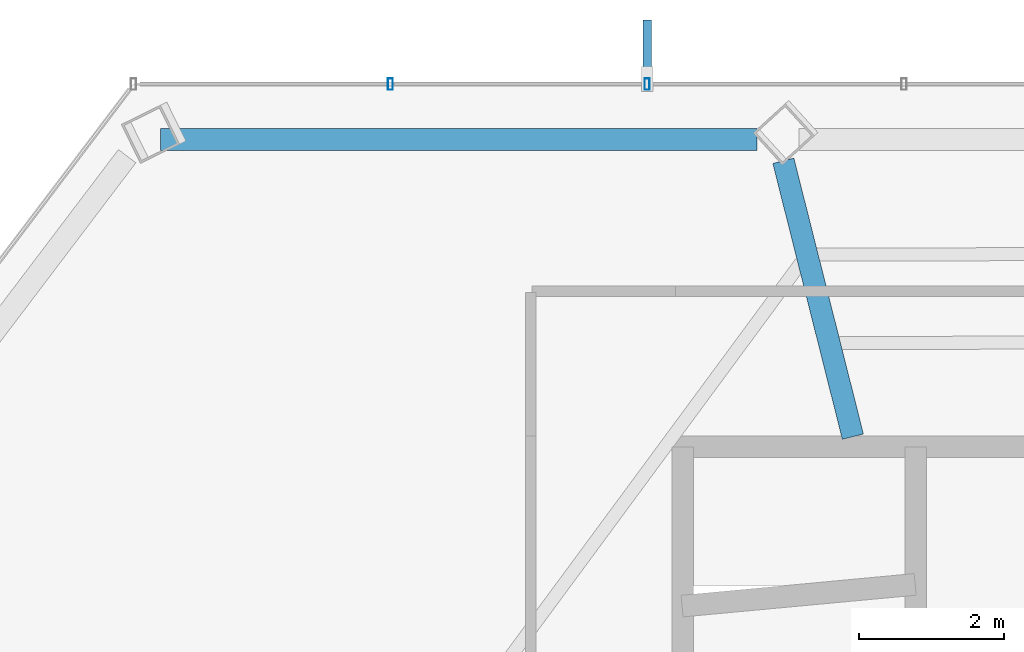
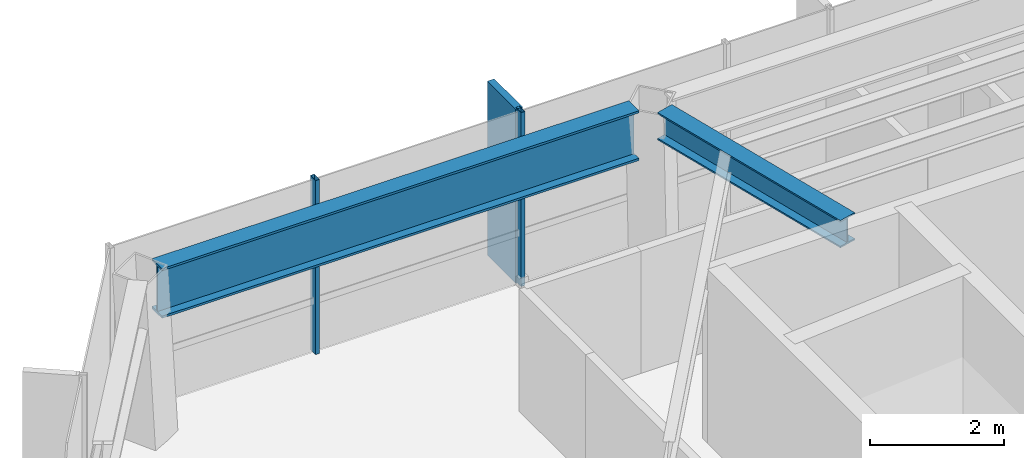
# One storey, part 12 of 27: 3 members, 2 beams, 1 element without a shape of its own.
"""IFC4 building model written with IfcOpenShell, lengths in metres."""

from ifc_helpers import new_model, si_unit, direction, frame, origin, origin_2d, place, context, subcontext, project, spatial, rectangle, hollow_rectangle, i_section, extrude, material, layer, layer_set, material_profile, profile_set, type_object, element, aggregate, save


model = new_model("IFC4")

# Units and contexts
model_context = context("Model", 3, precision=1e-05, world=origin(), true_north=direction((0.0, 1.0)))
body_context = subcontext(model_context, "Body", "Model", "MODEL_VIEW")
ifc_project = project(units=[si_unit("LENGTHUNIT", "METRE"), si_unit("AREAUNIT", "SQUARE_METRE"), si_unit("VOLUMEUNIT", "CUBIC_METRE"), si_unit("PLANEANGLEUNIT", "RADIAN"), si_unit("MASSUNIT", "GRAM", prefix="KILO")], contexts=[model_context])

# Site, building, storey
site_placement = place(None, origin())
site = spatial("IfcSite", under=ifc_project, at=site_placement, CompositionType="ELEMENT")
building_placement = place(site_placement, origin())
building = spatial("IfcBuilding", under=site, at=building_placement, Name="Zarrinselat Tower", CompositionType="ELEMENT")
storey_placement = place(building_placement, frame((0.0, 0.0, 215.56005859375)))
storey = spatial("IfcBuildingStorey", under=building, at=storey_placement, Name="L53", CompositionType="ELEMENT", Elevation=215.56005859375)

# Beams
ifc_material_1 = material(Name="Steel S355J2", Category="steel")
ifc_material_profile_1 = material_profile(ifc_material_1, i_section(OverallWidth=0.300048828125, OverallDepth=0.5, WebThickness=0.014404296875, FlangeThickness=0.028076171875, at=origin_2d()), Name="HEB 500")
ifc_profile_set_1 = profile_set([ifc_material_profile_1], Name="Steel S355J2")
beam_type_1 = type_object("IfcBeamType", Name="BM-HEB500", PredefinedType="BEAM", material=ifc_profile_set_1)
beam_1_placement = place(storey_placement, frame((30.039306640625, 47.3515625, 2.929931640625), z_axis=(0.244405803834, -0.969673039252, 0.0), x_axis=(0.969673039252, 0.244405803834, 0.0)))
element("IfcBeam", 1, at=beam_1_placement, inside=storey, type_object=beam_type_1, Name="L53 Radial Primary Girder RG04", PredefinedType="BEAM", context=body_context, shape_type="SweptSolid", body=[
    extrude(i_section(OverallWidth=0.300048828125, OverallDepth=0.5, WebThickness=0.014404296875, FlangeThickness=0.028076171875, at=origin_2d()), origin(), (0.0, 0.0, 1.0), 3.9306640625),
])
ifc_material_2 = material(Name="Steel S460M", Category="steel")
ifc_material_profile_2 = material_profile(ifc_material_2, i_section(OverallWidth=0.302001953125, OverallDepth=0.909912109375, WebThickness=0.02099609375, FlangeThickness=0.0400390625, at=origin_2d()), Name="HEM 900")
ifc_profile_set_2 = profile_set([ifc_material_profile_2], Name="Steel S460M")
beam_type_2 = type_object("IfcBeamType", Name="BM-HEM900", PredefinedType="BEAM", material=ifc_profile_set_2)
beam_2_placement = place(storey_placement, frame((21.4365234375, 47.644287109375, 2.724853515625), z_axis=(1.0, 0.0, 0.0), x_axis=(0.0, 1.0, 0.0)))
element("IfcBeam", 2, at=beam_2_placement, inside=storey, type_object=beam_type_2, Name="L53 Perimeter Spandrel Girder SP04", PredefinedType="BEAM", context=body_context, shape_type="SweptSolid", body=[
    extrude(i_section(OverallWidth=0.302001953125, OverallDepth=0.909912109375, WebThickness=0.02099609375, FlangeThickness=0.0400390625, at=origin_2d()), origin(), (0.0, 0.0, 1.0), 8.240966796875),
])

# Curtain wall, members
ifc_material_3 = material(Name="Extruded Aluminium Alloy EN AW-6063 T6", Category="aluminium")
ifc_layer = layer(ifc_material_3, 0.169921875)
ifc_layer_set = layer_set([ifc_layer], Name="Extruded Aluminium Alloy EN AW-6063 T6")
curtain_wall_type = type_object("IfcCurtainWallType", Name="CWS-RES", PredefinedType="NOTDEFINED", material=ifc_layer_set)
curtain_wall_placement = place(storey_placement, origin())
curtain_wall = element("IfcCurtainWall", 3, at=curtain_wall_placement, inside=storey, type_object=curtain_wall_type, Name="L53 Unitised Curtain Wall CW-L53-E01", PredefinedType="NOTDEFINED")
ifc_material_4 = material(Name="Extruded Aluminium Alloy EN AW-6063 T6", Category="aluminium")
ifc_material_profile_3 = material_profile(ifc_material_4, hollow_rectangle(XDim=0.070068359375, YDim=0.159912109375, WallThickness=0.00390625, at=origin_2d()), Name="RHS 160x70x4")
ifc_profile_set_3 = profile_set([ifc_material_profile_3], Name="Extruded Aluminium Alloy EN AW-6063 T6")
member_type_1 = type_object("IfcMemberType", Name="MEM-CW-MUL2", PredefinedType="MULLION", material=ifc_profile_set_3)
member_1_placement = place(storey_placement, frame((28.158447265625, 48.4111328125, 0.0), z_axis=(0.0, 0.0, 1.0), x_axis=(-1.0, 0.0, 0.0)))
member_1 = element("IfcMember", 4, at=member_1_placement, type_object=member_type_1, Name="CW-L53-E01 Mullion 11", PredefinedType="MULLION", context=body_context, shape_type="SweptSolid", body=[
    extrude(hollow_rectangle(XDim=0.070068359375, YDim=0.159912109375, WallThickness=0.00390625, at=origin_2d()), origin(), (0.0, 0.0, 1.0), 3.179931640625),
])
member_2_placement = place(storey_placement, frame((24.610595703125, 48.4111328125, 0.0), z_axis=(0.0, 0.0, 1.0), x_axis=(-1.0, 0.0, 0.0)))
member_2 = element("IfcMember", 5, at=member_2_placement, type_object=member_type_1, Name="CW-L53-E01 Mullion 12", PredefinedType="MULLION", context=body_context, shape_type="SweptSolid", body=[
    extrude(hollow_rectangle(XDim=0.070068359375, YDim=0.159912109375, WallThickness=0.00390625, at=origin_2d()), origin(), (0.0, 0.0, 1.0), 3.179931640625),
])
ifc_material_5 = material(Name="Honed Cream Travertine Stone", Category="masonry")
ifc_material_profile_4 = material_profile(ifc_material_5, rectangle(XDim=0.1201171875, YDim=0.85009765625, at=origin_2d()), Name="FIN 850x120")
ifc_profile_set_4 = profile_set([ifc_material_profile_4], Name="Honed Cream Travertine Stone")
member_type_2 = type_object("IfcMemberType", Name="MEM-STONE-FIN", PredefinedType="USERDEFINED", material=ifc_profile_set_4)
member_3_placement = place(storey_placement, frame((28.158447265625, 48.87109375, 0.0), z_axis=(0.0, 0.0, 1.0), x_axis=(1.0, 0.0, 0.0)))
member_3 = element("IfcMember", 6, at=member_3_placement, type_object=member_type_2, Name="L53 Stone Shading Fin CW-L53-E01-11", ObjectType="FIN", PredefinedType="USERDEFINED", context=body_context, shape_type="SweptSolid", body=[
    extrude(rectangle(XDim=0.1201171875, YDim=0.85009765625, at=origin_2d()), origin(), (0.0, 0.0, 1.0), 3.179931640625),
])
aggregate(curtain_wall, [member_1, member_3, member_2])

save(model, "model.ifc")
